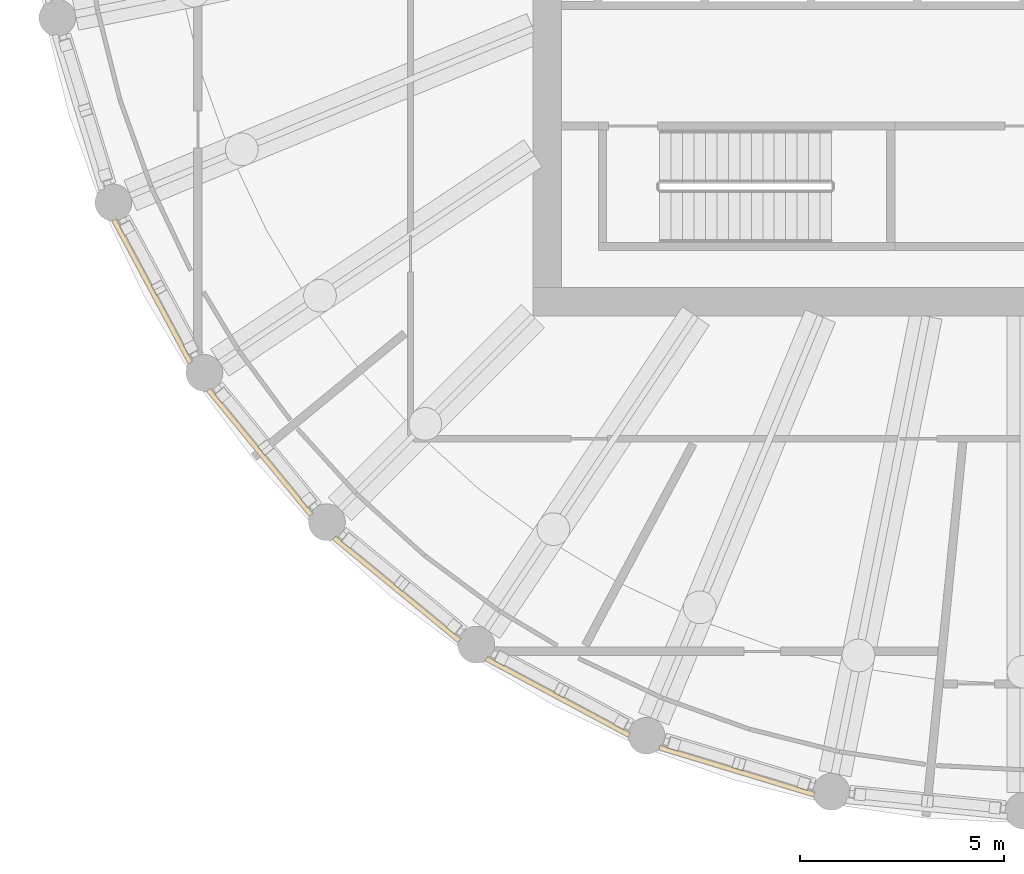
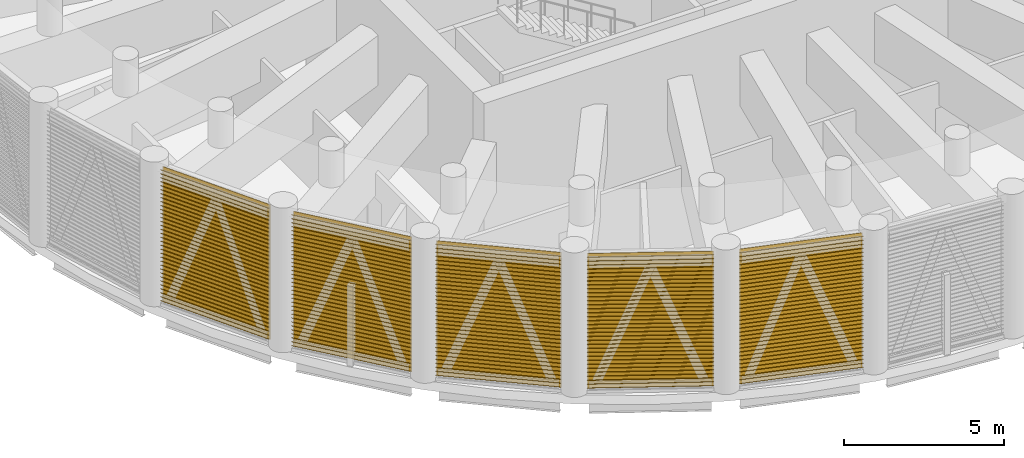
# One storey, part 12 of 19: 5 shading devices, 5 elements without a shape of their own.
"""IFC4 building model written with IfcOpenShell, lengths in metres."""

from ifc_helpers import new_model, si_unit, direction, frame, origin, place, context, subcontext, project, spatial, polyline, outline, extrude, material, material_profile, profile_set, type_object, element, aggregate, save


model = new_model("IFC4")

# Units and contexts
model_context = context("Model", 3, precision=1e-05, world=origin(), true_north=direction((0.0, 1.0)))
body_context = subcontext(model_context, "Body", "Model", "MODEL_VIEW")
ifc_project = project(units=[si_unit("LENGTHUNIT", "METRE"), si_unit("AREAUNIT", "SQUARE_METRE"), si_unit("VOLUMEUNIT", "CUBIC_METRE"), si_unit("PLANEANGLEUNIT", "RADIAN"), si_unit("MASSUNIT", "GRAM", prefix="KILO")], contexts=[model_context])

# Site, building, storey
site_placement = place(None, origin())
site = spatial("IfcSite", under=ifc_project, at=site_placement, CompositionType="ELEMENT")
building_placement = place(site_placement, origin())
building = spatial("IfcBuilding", under=site, at=building_placement, Name="Corvane Civic Tower", CompositionType="ELEMENT")
storey_placement = place(building_placement, frame((0.0, 0.0, 319.0)))
storey = spatial("IfcBuildingStorey", under=building, at=storey_placement, Name="L76", CompositionType="ELEMENT", Elevation=319.0)

# Curtain wall, shading device
ifc_material_1 = material(Name="Anodised aluminium bronze", Category="aluminium")
curtain_wall_type = type_object("IfcCurtainWallType", Name="TOWER CW-LV LOUVRE SCREEN WALL", PredefinedType="NOTDEFINED", material=ifc_material_1)
curtain_wall_1_placement = place(storey_placement, origin())
curtain_wall_1 = element("IfcCurtainWall", 1, at=curtain_wall_1_placement, inside=storey, type_object=curtain_wall_type, Name="Louvre screen wall CW-LV L76 bay 18", PredefinedType="NOTDEFINED")
ifc_material_2 = material(Name="Anodised aluminium bronze", Category="aluminium")
ifc_material_profile = material_profile(ifc_material_2, outline(polyline([(-0.06005859375, -2.56494140625), (-0.0400390625, -2.56494140625), (0.06005859375, -2.492919921875), (0.06005859375, -2.472900390625), (-0.0400390625, -2.544921875), (-0.0400390625, -2.4140625), (0.06005859375, -2.342041015625), (0.06005859375, -2.322021484375), (-0.0400390625, -2.39404296875), (-0.0400390625, -2.26318359375), (0.06005859375, -2.191162109375), (0.06005859375, -2.171142578125), (-0.0400390625, -2.2431640625), (-0.0400390625, -2.1123046875), (0.06005859375, -2.040283203125), (0.06005859375, -2.0205078125), (-0.0400390625, -2.09228515625), (-0.0400390625, -1.96142578125), (0.06005859375, -1.889404296875), (0.06005859375, -1.869384765625), (-0.0400390625, -1.94140625), (-0.0400390625, -1.810546875), (0.06005859375, -1.738525390625), (0.06005859375, -1.718505859375), (-0.0400390625, -1.79052734375), (-0.0400390625, -1.65966796875), (0.06005859375, -1.587646484375), (0.06005859375, -1.567626953125), (-0.0400390625, -1.6396484375), (-0.0400390625, -1.5087890625), (0.06005859375, -1.436767578125), (0.06005859375, -1.416748046875), (-0.0400390625, -1.48876953125), (-0.0400390625, -1.35791015625), (0.06005859375, -1.285888671875), (0.06005859375, -1.265869140625), (-0.0400390625, -1.337890625), (-0.0400390625, -1.20703125), (0.06005859375, -1.135009765625), (0.06005859375, -1.114990234375), (-0.0400390625, -1.18701171875), (-0.0400390625, -1.05615234375), (0.06005859375, -0.984130859375), (0.06005859375, -0.964111328125), (-0.0400390625, -1.0361328125), (-0.0400390625, -0.9052734375), (0.06005859375, -0.833251953125), (0.06005859375, -0.813232421875), (-0.0400390625, -0.88525390625), (-0.0400390625, -0.75439453125), (0.06005859375, -0.682373046875), (0.06005859375, -0.662353515625), (-0.0400390625, -0.734375), (-0.0400390625, -0.603515625), (0.06005859375, -0.531494140625), (0.06005859375, -0.511474609375), (-0.0400390625, -0.58349609375), (-0.0400390625, -0.45263671875), (0.06005859375, -0.380615234375), (0.06005859375, -0.360595703125), (-0.0400390625, -0.4326171875), (-0.0400390625, -0.3017578125), (0.06005859375, -0.229736328125), (0.06005859375, -0.209716796875), (-0.0400390625, -0.28173828125), (-0.0400390625, -0.15087890625), (0.06005859375, -0.078857421875), (0.06005859375, -0.058837890625), (-0.0400390625, -0.130859375), (-0.0400390625, 0.0), (0.06005859375, 0.072021484375), (0.06005859375, 0.092041015625), (-0.0400390625, 0.02001953125), (-0.0400390625, 0.15087890625), (0.06005859375, 0.222900390625), (0.06005859375, 0.242919921875), (-0.0400390625, 0.1708984375), (-0.0400390625, 0.3017578125), (0.06005859375, 0.373779296875), (0.06005859375, 0.393798828125), (-0.0400390625, 0.32177734375), (-0.0400390625, 0.45263671875), (0.06005859375, 0.524658203125), (0.06005859375, 0.544677734375), (-0.0400390625, 0.47265625), (-0.0400390625, 0.603515625), (0.06005859375, 0.675537109375), (0.06005859375, 0.695556640625), (-0.0400390625, 0.62353515625), (-0.0400390625, 0.75439453125), (0.06005859375, 0.826416015625), (0.06005859375, 0.846435546875), (-0.0400390625, 0.7744140625), (-0.0400390625, 0.9052734375), (0.06005859375, 0.977294921875), (0.06005859375, 0.997314453125), (-0.0400390625, 0.92529296875), (-0.0400390625, 1.05615234375), (0.06005859375, 1.128173828125), (0.06005859375, 1.148193359375), (-0.0400390625, 1.076171875), (-0.0400390625, 1.20703125), (0.06005859375, 1.279052734375), (0.06005859375, 1.299072265625), (-0.0400390625, 1.22705078125), (-0.0400390625, 1.35791015625), (0.06005859375, 1.429931640625), (0.06005859375, 1.449951171875), (-0.0400390625, 1.3779296875), (-0.0400390625, 1.5087890625), (0.06005859375, 1.580810546875), (0.06005859375, 1.600830078125), (-0.0400390625, 1.52880859375), (-0.0400390625, 1.65966796875), (0.06005859375, 1.731689453125), (0.06005859375, 1.751708984375), (-0.0400390625, 1.6796875), (-0.0400390625, 1.810546875), (0.06005859375, 1.882568359375), (0.06005859375, 1.902587890625), (-0.0400390625, 1.83056640625), (-0.0400390625, 1.96142578125), (0.06005859375, 2.033447265625), (0.06005859375, 2.053466796875), (-0.0400390625, 1.9814453125), (-0.0400390625, 2.1123046875), (0.06005859375, 2.184326171875), (0.06005859375, 2.204345703125), (-0.0400390625, 2.13232421875), (-0.0400390625, 2.26318359375), (0.06005859375, 2.335205078125), (0.06005859375, 2.355224609375), (-0.0400390625, 2.283203125), (-0.0400390625, 2.4140625), (0.06005859375, 2.486083984375), (0.06005859375, 2.506103515625), (-0.0400390625, 2.43408203125), (-0.0400390625, 2.56494140625), (-0.06005859375, 2.56494140625), (-0.06005859375, -2.56494140625)])), Name="TOWER LOUVRE BANK 5130 BRONZE")
ifc_profile_set = profile_set([ifc_material_profile], Name="Anodised aluminium bronze")
shading_device_type = type_object("IfcShadingDeviceType", Name="TOWER LOUVRE BANK 5130 BRONZE", PredefinedType="USERDEFINED", material=ifc_profile_set)
shading_device_1_placement = place(storey_placement, frame((-5.119873046875, -23.697265625, 2.68505859375), z_axis=(-0.956946054205, 0.290265825309, 0.0), x_axis=(-0.290265825309, -0.956946054205, 0.0)))
shading_device_1 = element("IfcShadingDevice", 2, at=shading_device_1_placement, type_object=shading_device_type, Name="Louvre bank L76 18.1", ObjectType="LOUVRE", PredefinedType="USERDEFINED", context=body_context, shape_type="SweptSolid", body=[
    extrude(outline(polyline([(-0.06005859375, -2.56494140625), (-0.0400390625, -2.56494140625), (0.06005859375, -2.492919921875), (0.06005859375, -2.472900390625), (-0.0400390625, -2.544921875), (-0.0400390625, -2.4140625), (0.06005859375, -2.342041015625), (0.06005859375, -2.322021484375), (-0.0400390625, -2.39404296875), (-0.0400390625, -2.26318359375), (0.06005859375, -2.191162109375), (0.06005859375, -2.171142578125), (-0.0400390625, -2.2431640625), (-0.0400390625, -2.1123046875), (0.06005859375, -2.040283203125), (0.06005859375, -2.0205078125), (-0.0400390625, -2.09228515625), (-0.0400390625, -1.96142578125), (0.06005859375, -1.889404296875), (0.06005859375, -1.869384765625), (-0.0400390625, -1.94140625), (-0.0400390625, -1.810546875), (0.06005859375, -1.738525390625), (0.06005859375, -1.718505859375), (-0.0400390625, -1.79052734375), (-0.0400390625, -1.65966796875), (0.06005859375, -1.587646484375), (0.06005859375, -1.567626953125), (-0.0400390625, -1.6396484375), (-0.0400390625, -1.5087890625), (0.06005859375, -1.436767578125), (0.06005859375, -1.416748046875), (-0.0400390625, -1.48876953125), (-0.0400390625, -1.35791015625), (0.06005859375, -1.285888671875), (0.06005859375, -1.265869140625), (-0.0400390625, -1.337890625), (-0.0400390625, -1.20703125), (0.06005859375, -1.135009765625), (0.06005859375, -1.114990234375), (-0.0400390625, -1.18701171875), (-0.0400390625, -1.05615234375), (0.06005859375, -0.984130859375), (0.06005859375, -0.964111328125), (-0.0400390625, -1.0361328125), (-0.0400390625, -0.9052734375), (0.06005859375, -0.833251953125), (0.06005859375, -0.813232421875), (-0.0400390625, -0.88525390625), (-0.0400390625, -0.75439453125), (0.06005859375, -0.682373046875), (0.06005859375, -0.662353515625), (-0.0400390625, -0.734375), (-0.0400390625, -0.603515625), (0.06005859375, -0.531494140625), (0.06005859375, -0.511474609375), (-0.0400390625, -0.58349609375), (-0.0400390625, -0.45263671875), (0.06005859375, -0.380615234375), (0.06005859375, -0.360595703125), (-0.0400390625, -0.4326171875), (-0.0400390625, -0.3017578125), (0.06005859375, -0.229736328125), (0.06005859375, -0.209716796875), (-0.0400390625, -0.28173828125), (-0.0400390625, -0.15087890625), (0.06005859375, -0.078857421875), (0.06005859375, -0.058837890625), (-0.0400390625, -0.130859375), (-0.0400390625, 0.0), (0.06005859375, 0.072021484375), (0.06005859375, 0.092041015625), (-0.0400390625, 0.02001953125), (-0.0400390625, 0.15087890625), (0.06005859375, 0.222900390625), (0.06005859375, 0.242919921875), (-0.0400390625, 0.1708984375), (-0.0400390625, 0.3017578125), (0.06005859375, 0.373779296875), (0.06005859375, 0.393798828125), (-0.0400390625, 0.32177734375), (-0.0400390625, 0.45263671875), (0.06005859375, 0.524658203125), (0.06005859375, 0.544677734375), (-0.0400390625, 0.47265625), (-0.0400390625, 0.603515625), (0.06005859375, 0.675537109375), (0.06005859375, 0.695556640625), (-0.0400390625, 0.62353515625), (-0.0400390625, 0.75439453125), (0.06005859375, 0.826416015625), (0.06005859375, 0.846435546875), (-0.0400390625, 0.7744140625), (-0.0400390625, 0.9052734375), (0.06005859375, 0.977294921875), (0.06005859375, 0.997314453125), (-0.0400390625, 0.92529296875), (-0.0400390625, 1.05615234375), (0.06005859375, 1.128173828125), (0.06005859375, 1.148193359375), (-0.0400390625, 1.076171875), (-0.0400390625, 1.20703125), (0.06005859375, 1.279052734375), (0.06005859375, 1.299072265625), (-0.0400390625, 1.22705078125), (-0.0400390625, 1.35791015625), (0.06005859375, 1.429931640625), (0.06005859375, 1.449951171875), (-0.0400390625, 1.3779296875), (-0.0400390625, 1.5087890625), (0.06005859375, 1.580810546875), (0.06005859375, 1.600830078125), (-0.0400390625, 1.52880859375), (-0.0400390625, 1.65966796875), (0.06005859375, 1.731689453125), (0.06005859375, 1.751708984375), (-0.0400390625, 1.6796875), (-0.0400390625, 1.810546875), (0.06005859375, 1.882568359375), (0.06005859375, 1.902587890625), (-0.0400390625, 1.83056640625), (-0.0400390625, 1.96142578125), (0.06005859375, 2.033447265625), (0.06005859375, 2.053466796875), (-0.0400390625, 1.9814453125), (-0.0400390625, 2.1123046875), (0.06005859375, 2.184326171875), (0.06005859375, 2.204345703125), (-0.0400390625, 2.13232421875), (-0.0400390625, 2.26318359375), (0.06005859375, 2.335205078125), (0.06005859375, 2.355224609375), (-0.0400390625, 2.283203125), (-0.0400390625, 2.4140625), (0.06005859375, 2.486083984375), (0.06005859375, 2.506103515625), (-0.0400390625, 2.43408203125), (-0.0400390625, 2.56494140625), (-0.06005859375, 2.56494140625), (-0.06005859375, -2.56494140625)])), origin(), (0.0, 0.0, 1.0), 3.958984375),
])
aggregate(curtain_wall_1, [shading_device_1])

curtain_wall_2_placement = place(storey_placement, origin())
curtain_wall_2 = element("IfcCurtainWall", 3, at=curtain_wall_2_placement, inside=storey, type_object=curtain_wall_type, Name="Louvre screen wall CW-LV L76 bay 19", PredefinedType="NOTDEFINED")
shading_device_2_placement = place(storey_placement, frame((-9.644775390625, -22.2431640625, 2.68505859375), z_axis=(-0.881883040816, 0.471468241052, 0.0), x_axis=(-0.471468241052, -0.881883040816, 0.0)))
shading_device_2 = element("IfcShadingDevice", 4, at=shading_device_2_placement, type_object=shading_device_type, Name="Louvre bank L76 19.1", ObjectType="LOUVRE", PredefinedType="USERDEFINED", context=body_context, shape_type="SweptSolid", body=[
    extrude(outline(polyline([(-0.06005859375, -2.56494140625), (-0.0400390625, -2.56494140625), (0.06005859375, -2.492919921875), (0.06005859375, -2.472900390625), (-0.0400390625, -2.544921875), (-0.0400390625, -2.4140625), (0.06005859375, -2.342041015625), (0.06005859375, -2.322021484375), (-0.0400390625, -2.39404296875), (-0.0400390625, -2.26318359375), (0.06005859375, -2.191162109375), (0.06005859375, -2.171142578125), (-0.0400390625, -2.2431640625), (-0.0400390625, -2.1123046875), (0.06005859375, -2.040283203125), (0.06005859375, -2.0205078125), (-0.0400390625, -2.09228515625), (-0.0400390625, -1.96142578125), (0.06005859375, -1.889404296875), (0.06005859375, -1.869384765625), (-0.0400390625, -1.94140625), (-0.0400390625, -1.810546875), (0.06005859375, -1.738525390625), (0.06005859375, -1.718505859375), (-0.0400390625, -1.79052734375), (-0.0400390625, -1.65966796875), (0.06005859375, -1.587646484375), (0.06005859375, -1.567626953125), (-0.0400390625, -1.6396484375), (-0.0400390625, -1.5087890625), (0.06005859375, -1.436767578125), (0.06005859375, -1.416748046875), (-0.0400390625, -1.48876953125), (-0.0400390625, -1.35791015625), (0.06005859375, -1.285888671875), (0.06005859375, -1.265869140625), (-0.0400390625, -1.337890625), (-0.0400390625, -1.20703125), (0.06005859375, -1.135009765625), (0.06005859375, -1.114990234375), (-0.0400390625, -1.18701171875), (-0.0400390625, -1.05615234375), (0.06005859375, -0.984130859375), (0.06005859375, -0.964111328125), (-0.0400390625, -1.0361328125), (-0.0400390625, -0.9052734375), (0.06005859375, -0.833251953125), (0.06005859375, -0.813232421875), (-0.0400390625, -0.88525390625), (-0.0400390625, -0.75439453125), (0.06005859375, -0.682373046875), (0.06005859375, -0.662353515625), (-0.0400390625, -0.734375), (-0.0400390625, -0.603515625), (0.06005859375, -0.531494140625), (0.06005859375, -0.511474609375), (-0.0400390625, -0.58349609375), (-0.0400390625, -0.45263671875), (0.06005859375, -0.380615234375), (0.06005859375, -0.360595703125), (-0.0400390625, -0.4326171875), (-0.0400390625, -0.3017578125), (0.06005859375, -0.229736328125), (0.06005859375, -0.209716796875), (-0.0400390625, -0.28173828125), (-0.0400390625, -0.15087890625), (0.06005859375, -0.078857421875), (0.06005859375, -0.058837890625), (-0.0400390625, -0.130859375), (-0.0400390625, 0.0), (0.06005859375, 0.072021484375), (0.06005859375, 0.092041015625), (-0.0400390625, 0.02001953125), (-0.0400390625, 0.15087890625), (0.06005859375, 0.222900390625), (0.06005859375, 0.242919921875), (-0.0400390625, 0.1708984375), (-0.0400390625, 0.3017578125), (0.06005859375, 0.373779296875), (0.06005859375, 0.393798828125), (-0.0400390625, 0.32177734375), (-0.0400390625, 0.45263671875), (0.06005859375, 0.524658203125), (0.06005859375, 0.544677734375), (-0.0400390625, 0.47265625), (-0.0400390625, 0.603515625), (0.06005859375, 0.675537109375), (0.06005859375, 0.695556640625), (-0.0400390625, 0.62353515625), (-0.0400390625, 0.75439453125), (0.06005859375, 0.826416015625), (0.06005859375, 0.846435546875), (-0.0400390625, 0.7744140625), (-0.0400390625, 0.9052734375), (0.06005859375, 0.977294921875), (0.06005859375, 0.997314453125), (-0.0400390625, 0.92529296875), (-0.0400390625, 1.05615234375), (0.06005859375, 1.128173828125), (0.06005859375, 1.148193359375), (-0.0400390625, 1.076171875), (-0.0400390625, 1.20703125), (0.06005859375, 1.279052734375), (0.06005859375, 1.299072265625), (-0.0400390625, 1.22705078125), (-0.0400390625, 1.35791015625), (0.06005859375, 1.429931640625), (0.06005859375, 1.449951171875), (-0.0400390625, 1.3779296875), (-0.0400390625, 1.5087890625), (0.06005859375, 1.580810546875), (0.06005859375, 1.600830078125), (-0.0400390625, 1.52880859375), (-0.0400390625, 1.65966796875), (0.06005859375, 1.731689453125), (0.06005859375, 1.751708984375), (-0.0400390625, 1.6796875), (-0.0400390625, 1.810546875), (0.06005859375, 1.882568359375), (0.06005859375, 1.902587890625), (-0.0400390625, 1.83056640625), (-0.0400390625, 1.96142578125), (0.06005859375, 2.033447265625), (0.06005859375, 2.053466796875), (-0.0400390625, 1.9814453125), (-0.0400390625, 2.1123046875), (0.06005859375, 2.184326171875), (0.06005859375, 2.204345703125), (-0.0400390625, 2.13232421875), (-0.0400390625, 2.26318359375), (0.06005859375, 2.335205078125), (0.06005859375, 2.355224609375), (-0.0400390625, 2.283203125), (-0.0400390625, 2.4140625), (0.06005859375, 2.486083984375), (0.06005859375, 2.506103515625), (-0.0400390625, 2.43408203125), (-0.0400390625, 2.56494140625), (-0.06005859375, 2.56494140625), (-0.06005859375, -2.56494140625)])), origin(), (0.0, 0.0, 1.0), 3.958740234375),
])
aggregate(curtain_wall_2, [shading_device_2])

curtain_wall_3_placement = place(storey_placement, origin())
curtain_wall_3 = element("IfcCurtainWall", 5, at=curtain_wall_3_placement, inside=storey, type_object=curtain_wall_type, Name="Louvre screen wall CW-LV L76 bay 20", PredefinedType="NOTDEFINED")
shading_device_3_placement = place(storey_placement, frame((-13.798828125, -19.93408203125, 2.68505859375), z_axis=(-0.772991943051, 0.634415838373, 0.0), x_axis=(-0.634415838373, -0.772991943051, 0.0)))
shading_device_3 = element("IfcShadingDevice", 6, at=shading_device_3_placement, type_object=shading_device_type, Name="Louvre bank L76 20.1", ObjectType="LOUVRE", PredefinedType="USERDEFINED", context=body_context, shape_type="SweptSolid", body=[
    extrude(outline(polyline([(-0.06005859375, -2.56494140625), (-0.0400390625, -2.56494140625), (0.06005859375, -2.492919921875), (0.06005859375, -2.472900390625), (-0.0400390625, -2.544921875), (-0.0400390625, -2.4140625), (0.06005859375, -2.342041015625), (0.06005859375, -2.322021484375), (-0.0400390625, -2.39404296875), (-0.0400390625, -2.26318359375), (0.06005859375, -2.191162109375), (0.06005859375, -2.171142578125), (-0.0400390625, -2.2431640625), (-0.0400390625, -2.1123046875), (0.06005859375, -2.040283203125), (0.06005859375, -2.0205078125), (-0.0400390625, -2.09228515625), (-0.0400390625, -1.96142578125), (0.06005859375, -1.889404296875), (0.06005859375, -1.869384765625), (-0.0400390625, -1.94140625), (-0.0400390625, -1.810546875), (0.06005859375, -1.738525390625), (0.06005859375, -1.718505859375), (-0.0400390625, -1.79052734375), (-0.0400390625, -1.65966796875), (0.06005859375, -1.587646484375), (0.06005859375, -1.567626953125), (-0.0400390625, -1.6396484375), (-0.0400390625, -1.5087890625), (0.06005859375, -1.436767578125), (0.06005859375, -1.416748046875), (-0.0400390625, -1.48876953125), (-0.0400390625, -1.35791015625), (0.06005859375, -1.285888671875), (0.06005859375, -1.265869140625), (-0.0400390625, -1.337890625), (-0.0400390625, -1.20703125), (0.06005859375, -1.135009765625), (0.06005859375, -1.114990234375), (-0.0400390625, -1.18701171875), (-0.0400390625, -1.05615234375), (0.06005859375, -0.984130859375), (0.06005859375, -0.964111328125), (-0.0400390625, -1.0361328125), (-0.0400390625, -0.9052734375), (0.06005859375, -0.833251953125), (0.06005859375, -0.813232421875), (-0.0400390625, -0.88525390625), (-0.0400390625, -0.75439453125), (0.06005859375, -0.682373046875), (0.06005859375, -0.662353515625), (-0.0400390625, -0.734375), (-0.0400390625, -0.603515625), (0.06005859375, -0.531494140625), (0.06005859375, -0.511474609375), (-0.0400390625, -0.58349609375), (-0.0400390625, -0.45263671875), (0.06005859375, -0.380615234375), (0.06005859375, -0.360595703125), (-0.0400390625, -0.4326171875), (-0.0400390625, -0.3017578125), (0.06005859375, -0.229736328125), (0.06005859375, -0.209716796875), (-0.0400390625, -0.28173828125), (-0.0400390625, -0.15087890625), (0.06005859375, -0.078857421875), (0.06005859375, -0.058837890625), (-0.0400390625, -0.130859375), (-0.0400390625, 0.0), (0.06005859375, 0.072021484375), (0.06005859375, 0.092041015625), (-0.0400390625, 0.02001953125), (-0.0400390625, 0.15087890625), (0.06005859375, 0.222900390625), (0.06005859375, 0.242919921875), (-0.0400390625, 0.1708984375), (-0.0400390625, 0.3017578125), (0.06005859375, 0.373779296875), (0.06005859375, 0.393798828125), (-0.0400390625, 0.32177734375), (-0.0400390625, 0.45263671875), (0.06005859375, 0.524658203125), (0.06005859375, 0.544677734375), (-0.0400390625, 0.47265625), (-0.0400390625, 0.603515625), (0.06005859375, 0.675537109375), (0.06005859375, 0.695556640625), (-0.0400390625, 0.62353515625), (-0.0400390625, 0.75439453125), (0.06005859375, 0.826416015625), (0.06005859375, 0.846435546875), (-0.0400390625, 0.7744140625), (-0.0400390625, 0.9052734375), (0.06005859375, 0.977294921875), (0.06005859375, 0.997314453125), (-0.0400390625, 0.92529296875), (-0.0400390625, 1.05615234375), (0.06005859375, 1.128173828125), (0.06005859375, 1.148193359375), (-0.0400390625, 1.076171875), (-0.0400390625, 1.20703125), (0.06005859375, 1.279052734375), (0.06005859375, 1.299072265625), (-0.0400390625, 1.22705078125), (-0.0400390625, 1.35791015625), (0.06005859375, 1.429931640625), (0.06005859375, 1.449951171875), (-0.0400390625, 1.3779296875), (-0.0400390625, 1.5087890625), (0.06005859375, 1.580810546875), (0.06005859375, 1.600830078125), (-0.0400390625, 1.52880859375), (-0.0400390625, 1.65966796875), (0.06005859375, 1.731689453125), (0.06005859375, 1.751708984375), (-0.0400390625, 1.6796875), (-0.0400390625, 1.810546875), (0.06005859375, 1.882568359375), (0.06005859375, 1.902587890625), (-0.0400390625, 1.83056640625), (-0.0400390625, 1.96142578125), (0.06005859375, 2.033447265625), (0.06005859375, 2.053466796875), (-0.0400390625, 1.9814453125), (-0.0400390625, 2.1123046875), (0.06005859375, 2.184326171875), (0.06005859375, 2.204345703125), (-0.0400390625, 2.13232421875), (-0.0400390625, 2.26318359375), (0.06005859375, 2.335205078125), (0.06005859375, 2.355224609375), (-0.0400390625, 2.283203125), (-0.0400390625, 2.4140625), (0.06005859375, 2.486083984375), (0.06005859375, 2.506103515625), (-0.0400390625, 2.43408203125), (-0.0400390625, 2.56494140625), (-0.06005859375, 2.56494140625), (-0.06005859375, -2.56494140625)])), origin(), (0.0, 0.0, 1.0), 3.958740234375),
])
aggregate(curtain_wall_3, [shading_device_3])

curtain_wall_4_placement = place(storey_placement, origin())
curtain_wall_4 = element("IfcCurtainWall", 7, at=curtain_wall_4_placement, inside=storey, type_object=curtain_wall_type, Name="Louvre screen wall CW-LV L76 bay 21", PredefinedType="NOTDEFINED")
shading_device_4_placement = place(storey_placement, frame((-17.422607421875, -16.85888671875, 2.68505859375), z_axis=(-0.634415838373, 0.772991943051, 0.0), x_axis=(-0.772991943051, -0.634415838373, 0.0)))
shading_device_4 = element("IfcShadingDevice", 8, at=shading_device_4_placement, type_object=shading_device_type, Name="Louvre bank L76 21.1", ObjectType="LOUVRE", PredefinedType="USERDEFINED", context=body_context, shape_type="SweptSolid", body=[
    extrude(outline(polyline([(-0.06005859375, -2.56494140625), (-0.0400390625, -2.56494140625), (0.06005859375, -2.492919921875), (0.06005859375, -2.472900390625), (-0.0400390625, -2.544921875), (-0.0400390625, -2.4140625), (0.06005859375, -2.342041015625), (0.06005859375, -2.322021484375), (-0.0400390625, -2.39404296875), (-0.0400390625, -2.26318359375), (0.06005859375, -2.191162109375), (0.06005859375, -2.171142578125), (-0.0400390625, -2.2431640625), (-0.0400390625, -2.1123046875), (0.06005859375, -2.040283203125), (0.06005859375, -2.0205078125), (-0.0400390625, -2.09228515625), (-0.0400390625, -1.96142578125), (0.06005859375, -1.889404296875), (0.06005859375, -1.869384765625), (-0.0400390625, -1.94140625), (-0.0400390625, -1.810546875), (0.06005859375, -1.738525390625), (0.06005859375, -1.718505859375), (-0.0400390625, -1.79052734375), (-0.0400390625, -1.65966796875), (0.06005859375, -1.587646484375), (0.06005859375, -1.567626953125), (-0.0400390625, -1.6396484375), (-0.0400390625, -1.5087890625), (0.06005859375, -1.436767578125), (0.06005859375, -1.416748046875), (-0.0400390625, -1.48876953125), (-0.0400390625, -1.35791015625), (0.06005859375, -1.285888671875), (0.06005859375, -1.265869140625), (-0.0400390625, -1.337890625), (-0.0400390625, -1.20703125), (0.06005859375, -1.135009765625), (0.06005859375, -1.114990234375), (-0.0400390625, -1.18701171875), (-0.0400390625, -1.05615234375), (0.06005859375, -0.984130859375), (0.06005859375, -0.964111328125), (-0.0400390625, -1.0361328125), (-0.0400390625, -0.9052734375), (0.06005859375, -0.833251953125), (0.06005859375, -0.813232421875), (-0.0400390625, -0.88525390625), (-0.0400390625, -0.75439453125), (0.06005859375, -0.682373046875), (0.06005859375, -0.662353515625), (-0.0400390625, -0.734375), (-0.0400390625, -0.603515625), (0.06005859375, -0.531494140625), (0.06005859375, -0.511474609375), (-0.0400390625, -0.58349609375), (-0.0400390625, -0.45263671875), (0.06005859375, -0.380615234375), (0.06005859375, -0.360595703125), (-0.0400390625, -0.4326171875), (-0.0400390625, -0.3017578125), (0.06005859375, -0.229736328125), (0.06005859375, -0.209716796875), (-0.0400390625, -0.28173828125), (-0.0400390625, -0.15087890625), (0.06005859375, -0.078857421875), (0.06005859375, -0.058837890625), (-0.0400390625, -0.130859375), (-0.0400390625, 0.0), (0.06005859375, 0.072021484375), (0.06005859375, 0.092041015625), (-0.0400390625, 0.02001953125), (-0.0400390625, 0.15087890625), (0.06005859375, 0.222900390625), (0.06005859375, 0.242919921875), (-0.0400390625, 0.1708984375), (-0.0400390625, 0.3017578125), (0.06005859375, 0.373779296875), (0.06005859375, 0.393798828125), (-0.0400390625, 0.32177734375), (-0.0400390625, 0.45263671875), (0.06005859375, 0.524658203125), (0.06005859375, 0.544677734375), (-0.0400390625, 0.47265625), (-0.0400390625, 0.603515625), (0.06005859375, 0.675537109375), (0.06005859375, 0.695556640625), (-0.0400390625, 0.62353515625), (-0.0400390625, 0.75439453125), (0.06005859375, 0.826416015625), (0.06005859375, 0.846435546875), (-0.0400390625, 0.7744140625), (-0.0400390625, 0.9052734375), (0.06005859375, 0.977294921875), (0.06005859375, 0.997314453125), (-0.0400390625, 0.92529296875), (-0.0400390625, 1.05615234375), (0.06005859375, 1.128173828125), (0.06005859375, 1.148193359375), (-0.0400390625, 1.076171875), (-0.0400390625, 1.20703125), (0.06005859375, 1.279052734375), (0.06005859375, 1.299072265625), (-0.0400390625, 1.22705078125), (-0.0400390625, 1.35791015625), (0.06005859375, 1.429931640625), (0.06005859375, 1.449951171875), (-0.0400390625, 1.3779296875), (-0.0400390625, 1.5087890625), (0.06005859375, 1.580810546875), (0.06005859375, 1.600830078125), (-0.0400390625, 1.52880859375), (-0.0400390625, 1.65966796875), (0.06005859375, 1.731689453125), (0.06005859375, 1.751708984375), (-0.0400390625, 1.6796875), (-0.0400390625, 1.810546875), (0.06005859375, 1.882568359375), (0.06005859375, 1.902587890625), (-0.0400390625, 1.83056640625), (-0.0400390625, 1.96142578125), (0.06005859375, 2.033447265625), (0.06005859375, 2.053466796875), (-0.0400390625, 1.9814453125), (-0.0400390625, 2.1123046875), (0.06005859375, 2.184326171875), (0.06005859375, 2.204345703125), (-0.0400390625, 2.13232421875), (-0.0400390625, 2.26318359375), (0.06005859375, 2.335205078125), (0.06005859375, 2.355224609375), (-0.0400390625, 2.283203125), (-0.0400390625, 2.4140625), (0.06005859375, 2.486083984375), (0.06005859375, 2.506103515625), (-0.0400390625, 2.43408203125), (-0.0400390625, 2.56494140625), (-0.06005859375, 2.56494140625), (-0.06005859375, -2.56494140625)])), origin(), (0.0, 0.0, 1.0), 3.958740234375),
])
aggregate(curtain_wall_4, [shading_device_4])

curtain_wall_5_placement = place(storey_placement, origin())
curtain_wall_5 = element("IfcCurtainWall", 9, at=curtain_wall_5_placement, inside=storey, type_object=curtain_wall_type, Name="Louvre screen wall CW-LV L76 bay 22", PredefinedType="NOTDEFINED")
shading_device_5_placement = place(storey_placement, frame((-20.376708984375, -13.135986328125, 2.68505859375), z_axis=(-0.471468241052, 0.881883040816, 0.0), x_axis=(-0.881883040816, -0.471468241052, 0.0)))
shading_device_5 = element("IfcShadingDevice", 10, at=shading_device_5_placement, type_object=shading_device_type, Name="Louvre bank L76 22.1", ObjectType="LOUVRE", PredefinedType="USERDEFINED", context=body_context, shape_type="SweptSolid", body=[
    extrude(outline(polyline([(-0.06005859375, -2.56494140625), (-0.0400390625, -2.56494140625), (0.06005859375, -2.492919921875), (0.06005859375, -2.472900390625), (-0.0400390625, -2.544921875), (-0.0400390625, -2.4140625), (0.06005859375, -2.342041015625), (0.06005859375, -2.322021484375), (-0.0400390625, -2.39404296875), (-0.0400390625, -2.26318359375), (0.06005859375, -2.191162109375), (0.06005859375, -2.171142578125), (-0.0400390625, -2.2431640625), (-0.0400390625, -2.1123046875), (0.06005859375, -2.040283203125), (0.06005859375, -2.0205078125), (-0.0400390625, -2.09228515625), (-0.0400390625, -1.96142578125), (0.06005859375, -1.889404296875), (0.06005859375, -1.869384765625), (-0.0400390625, -1.94140625), (-0.0400390625, -1.810546875), (0.06005859375, -1.738525390625), (0.06005859375, -1.718505859375), (-0.0400390625, -1.79052734375), (-0.0400390625, -1.65966796875), (0.06005859375, -1.587646484375), (0.06005859375, -1.567626953125), (-0.0400390625, -1.6396484375), (-0.0400390625, -1.5087890625), (0.06005859375, -1.436767578125), (0.06005859375, -1.416748046875), (-0.0400390625, -1.48876953125), (-0.0400390625, -1.35791015625), (0.06005859375, -1.285888671875), (0.06005859375, -1.265869140625), (-0.0400390625, -1.337890625), (-0.0400390625, -1.20703125), (0.06005859375, -1.135009765625), (0.06005859375, -1.114990234375), (-0.0400390625, -1.18701171875), (-0.0400390625, -1.05615234375), (0.06005859375, -0.984130859375), (0.06005859375, -0.964111328125), (-0.0400390625, -1.0361328125), (-0.0400390625, -0.9052734375), (0.06005859375, -0.833251953125), (0.06005859375, -0.813232421875), (-0.0400390625, -0.88525390625), (-0.0400390625, -0.75439453125), (0.06005859375, -0.682373046875), (0.06005859375, -0.662353515625), (-0.0400390625, -0.734375), (-0.0400390625, -0.603515625), (0.06005859375, -0.531494140625), (0.06005859375, -0.511474609375), (-0.0400390625, -0.58349609375), (-0.0400390625, -0.45263671875), (0.06005859375, -0.380615234375), (0.06005859375, -0.360595703125), (-0.0400390625, -0.4326171875), (-0.0400390625, -0.3017578125), (0.06005859375, -0.229736328125), (0.06005859375, -0.209716796875), (-0.0400390625, -0.28173828125), (-0.0400390625, -0.15087890625), (0.06005859375, -0.078857421875), (0.06005859375, -0.058837890625), (-0.0400390625, -0.130859375), (-0.0400390625, 0.0), (0.06005859375, 0.072021484375), (0.06005859375, 0.092041015625), (-0.0400390625, 0.02001953125), (-0.0400390625, 0.15087890625), (0.06005859375, 0.222900390625), (0.06005859375, 0.242919921875), (-0.0400390625, 0.1708984375), (-0.0400390625, 0.3017578125), (0.06005859375, 0.373779296875), (0.06005859375, 0.393798828125), (-0.0400390625, 0.32177734375), (-0.0400390625, 0.45263671875), (0.06005859375, 0.524658203125), (0.06005859375, 0.544677734375), (-0.0400390625, 0.47265625), (-0.0400390625, 0.603515625), (0.06005859375, 0.675537109375), (0.06005859375, 0.695556640625), (-0.0400390625, 0.62353515625), (-0.0400390625, 0.75439453125), (0.06005859375, 0.826416015625), (0.06005859375, 0.846435546875), (-0.0400390625, 0.7744140625), (-0.0400390625, 0.9052734375), (0.06005859375, 0.977294921875), (0.06005859375, 0.997314453125), (-0.0400390625, 0.92529296875), (-0.0400390625, 1.05615234375), (0.06005859375, 1.128173828125), (0.06005859375, 1.148193359375), (-0.0400390625, 1.076171875), (-0.0400390625, 1.20703125), (0.06005859375, 1.279052734375), (0.06005859375, 1.299072265625), (-0.0400390625, 1.22705078125), (-0.0400390625, 1.35791015625), (0.06005859375, 1.429931640625), (0.06005859375, 1.449951171875), (-0.0400390625, 1.3779296875), (-0.0400390625, 1.5087890625), (0.06005859375, 1.580810546875), (0.06005859375, 1.600830078125), (-0.0400390625, 1.52880859375), (-0.0400390625, 1.65966796875), (0.06005859375, 1.731689453125), (0.06005859375, 1.751708984375), (-0.0400390625, 1.6796875), (-0.0400390625, 1.810546875), (0.06005859375, 1.882568359375), (0.06005859375, 1.902587890625), (-0.0400390625, 1.83056640625), (-0.0400390625, 1.96142578125), (0.06005859375, 2.033447265625), (0.06005859375, 2.053466796875), (-0.0400390625, 1.9814453125), (-0.0400390625, 2.1123046875), (0.06005859375, 2.184326171875), (0.06005859375, 2.204345703125), (-0.0400390625, 2.13232421875), (-0.0400390625, 2.26318359375), (0.06005859375, 2.335205078125), (0.06005859375, 2.355224609375), (-0.0400390625, 2.283203125), (-0.0400390625, 2.4140625), (0.06005859375, 2.486083984375), (0.06005859375, 2.506103515625), (-0.0400390625, 2.43408203125), (-0.0400390625, 2.56494140625), (-0.06005859375, 2.56494140625), (-0.06005859375, -2.56494140625)])), origin(), (0.0, 0.0, 1.0), 3.958740234375),
])
aggregate(curtain_wall_5, [shading_device_5])

save(model, "model.ifc")
